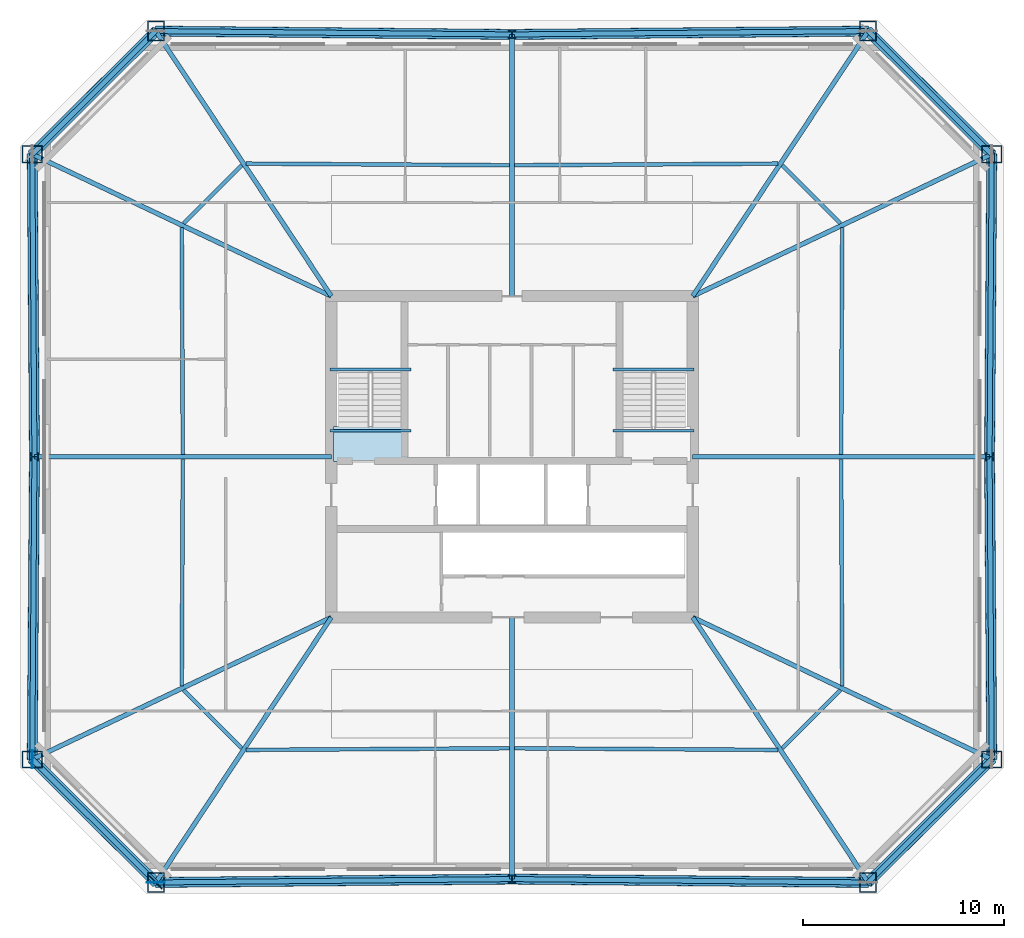
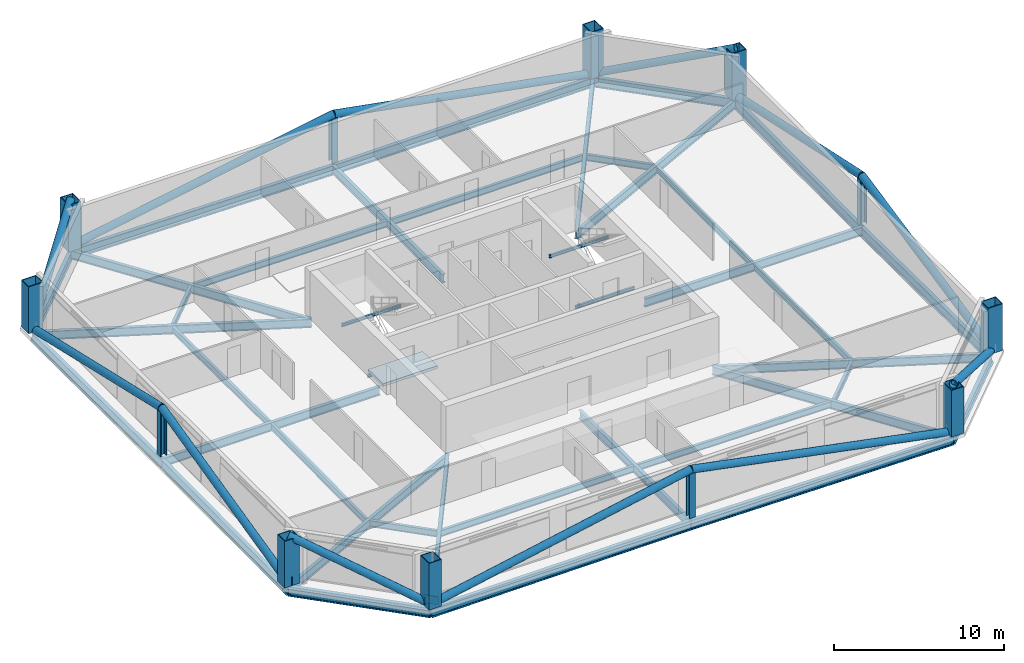
# One storey, part 1 of 6: 40 beams, 12 columns, 12 members, 3 plates, 1 slab, 1 element without a shape of its own.
"""IFC4 building model written with IfcOpenShell, lengths in metres."""

from ifc_helpers import new_model, si_unit, direction, frame, origin, origin_2d, place, context, subcontext, project, spatial, polyline, rectangle, hollow_rectangle, hollow_circle, i_section, outline, extrude, material, layer, layer_set, material_profile, profile_set, type_object, element, aggregate, save


model = new_model("IFC4")

# Units and contexts
model_context = context("Model", 3, precision=1e-05, world=origin(), true_north=direction((0.0, 1.0)))
body_context = subcontext(model_context, "Body", "Model", "MODEL_VIEW")
ifc_project = project(units=[si_unit("LENGTHUNIT", "METRE"), si_unit("AREAUNIT", "SQUARE_METRE"), si_unit("VOLUMEUNIT", "CUBIC_METRE"), si_unit("PLANEANGLEUNIT", "RADIAN"), si_unit("MASSUNIT", "GRAM", prefix="KILO")], contexts=[model_context])

# Site, building, storey
site_placement = place(None, origin())
site = spatial("IfcSite", under=ifc_project, at=site_placement, CompositionType="ELEMENT")
building_placement = place(site_placement, origin())
building = spatial("IfcBuilding", under=site, at=building_placement, Name="Caelvoria Tower", CompositionType="ELEMENT")
storey_placement = place(building_placement, frame((0.0, 0.0, 149.199951171875)))
storey = spatial("IfcBuildingStorey", under=building, at=storey_placement, Name="L39", CompositionType="ELEMENT", Elevation=149.199951171875)

# Columns
ifc_material_1 = material(Name="Structural Steel ASTM A572 Gr.50", Category="steel")
ifc_material_profile_1 = material_profile(ifc_material_1, hollow_rectangle(XDim=0.85009765625, YDim=1.0, WallThickness=0.050048828125, at=origin_2d()), Name="Structural Steel ASTM A572 Gr.50")
ifc_profile_set_1 = profile_set([ifc_material_profile_1], Name="BOX1000X850X50 - Structural Steel ASTM A572 Gr.50")
column_type_1 = type_object("IfcColumnType", Name="Mega Box Column 1000x850x50", PredefinedType="COLUMN", material=ifc_profile_set_1)
for number, where, z_axis, x_axis, name in (
    (1, (28.26220703125, 10.80224609375, 0.0), (0.0, 0.0, 1.0), (1.0, 0.0, 0.0), "Perimeter Megaframe Column L39-P00"),
    (2, (63.73779296875, 10.80224609375, 0.0), (0.0, 0.0, 1.0), (1.0, 0.0, 0.0), "Perimeter Megaframe Column L39-P02"),
    (3, (69.89111328125, 16.93408203125, 0.0), (0.0, 0.0, 1.0), (0.0, 1.0, 0.0), "Perimeter Megaframe Column L39-P03"),
    (4, (69.89111328125, 47.06591796875, 0.0), (0.0, 0.0, 1.0), (0.0, 1.0, 0.0), "Perimeter Megaframe Column L39-P05"),
    (5, (63.73779296875, 53.19775390625, 0.0), (0.0, 0.0, 1.0), (1.0, 0.0, 0.0), "Perimeter Megaframe Column L39-P06"),
    (6, (28.26220703125, 53.19775390625, 0.0), (0.0, 0.0, 1.0), (1.0, 0.0, 0.0), "Perimeter Megaframe Column L39-P08"),
    (7, (22.10888671875, 47.06591796875, 0.0), (0.0, 0.0, 1.0), (0.0, 1.0, 0.0), "Perimeter Megaframe Column L39-P09"),
    (8, (22.10888671875, 16.93408203125, 0.0), (0.0, 0.0, 1.0), (0.0, 1.0, 0.0), "Perimeter Megaframe Column L39-P11"),
):
    element("IfcColumn", number, at=place(storey_placement, frame(where, z_axis=z_axis, x_axis=x_axis)), inside=storey, type_object=column_type_1, Name=name, PredefinedType="COLUMN", context=body_context, shape_type="SweptSolid", body=[
        extrude(hollow_rectangle(XDim=0.85009765625, YDim=1.0, WallThickness=0.050048828125, at=origin_2d()), origin(), (0.0, 0.0, 1.0), 3.358154296875),
    ])
ifc_material_2 = material(Name="Structural Steel ASTM A992 Gr.50", Category="steel")
ifc_material_profile_2 = material_profile(ifc_material_2, i_section(OverallWidth=0.406005859375, OverallDepth=0.425048828125, WebThickness=0.03271484375, FlangeThickness=0.052490234375, FilletRadius=0.02490234375, at=origin_2d()), Name="Structural Steel ASTM A992 Gr.50")
ifc_profile_set_2 = profile_set([ifc_material_profile_2], Name="W360X421 - Structural Steel ASTM A992 Gr.50")
column_type_2 = type_object("IfcColumnType", Name="Mid Frame Column W360X421", PredefinedType="COLUMN", material=ifc_profile_set_2)
for number, where, z_axis, x_axis, name in (
    (9, (46.0, 10.969970703125, 0.0), (0.0, 0.0, 1.0), (1.0, 0.0, 0.0), "Perimeter Megaframe Column L39-P01"),
    (10, (69.780029296875, 32.0, 0.0), (0.0, 0.0, 1.0), (0.0, 1.0, 0.0), "Perimeter Megaframe Column L39-P04"),
    (11, (46.0, 53.030029296875, 0.0), (0.0, 0.0, 1.0), (1.0, 0.0, 0.0), "Perimeter Megaframe Column L39-P07"),
    (12, (22.219970703125, 32.0, 0.0), (0.0, 0.0, 1.0), (0.0, 1.0, 0.0), "Perimeter Megaframe Column L39-P10"),
):
    element("IfcColumn", number, at=place(storey_placement, frame(where, z_axis=z_axis, x_axis=x_axis)), inside=storey, type_object=column_type_2, Name=name, PredefinedType="COLUMN", context=body_context, shape_type="SweptSolid", body=[
        extrude(i_section(OverallWidth=0.406005859375, OverallDepth=0.425048828125, WebThickness=0.03271484375, FlangeThickness=0.052490234375, FilletRadius=0.02490234375, at=origin_2d()), origin(), (0.0, 0.0, 1.0), 3.358154296875),
    ])

# Beams
ifc_material_profile_3 = material_profile(ifc_material_2, i_section(OverallWidth=0.134033203125, OverallDepth=0.2099609375, WebThickness=0.00634765625, FlangeThickness=0.01025390625, FilletRadius=0.010009765625, at=origin_2d()), Name="Structural Steel ASTM A992 Gr.50")
ifc_profile_set_3 = profile_set([ifc_material_profile_3], Name="W200X31.3 - Structural Steel ASTM A992 Gr.50")
beam_type_1 = type_object("IfcBeamType", Name="Canopy Edge Trim Beam W200X31.3", PredefinedType="BEAM", material=ifc_profile_set_3)
for number, where, z_axis, x_axis, name in (
    (13, (36.929931640625, 36.35009765625, 1.4951171875), (1.0, 0.0, 0.0), (0.0, 1.0, 0.0), "ST-01 Half-Landing Support Beam L39"),
    (14, (36.929931640625, 33.300048828125, -0.304931640625), (1.0, 0.0, 0.0), (0.0, 1.0, 0.0), "ST-01 Floor-Landing Support Beam L39"),
    (15, (51.030029296875, 36.35009765625, 1.4951171875), (1.0, 0.0, 0.0), (0.0, 1.0, 0.0), "ST-02 Half-Landing Support Beam L39"),
    (16, (51.030029296875, 33.300048828125, -0.304931640625), (1.0, 0.0, 0.0), (0.0, 1.0, 0.0), "ST-02 Floor-Landing Support Beam L39"),
):
    element("IfcBeam", number, at=place(storey_placement, frame(where, z_axis=z_axis, x_axis=x_axis)), inside=storey, type_object=beam_type_1, Name=name, PredefinedType="BEAM", context=body_context, shape_type="SweptSolid", body=[
        extrude(i_section(OverallWidth=0.134033203125, OverallDepth=0.2099609375, WebThickness=0.00634765625, FlangeThickness=0.01025390625, FilletRadius=0.010009765625, at=origin_2d()), origin(), (0.0, 0.0, 1.0), 4.0400390625),
    ])

# Members
ifc_material_profile_4 = material_profile(ifc_material_1, hollow_circle(Radius=0.25390625, WallThickness=0.02001953125, at=origin_2d()), Name="Structural Steel ASTM A572 Gr.50")
ifc_profile_set_4 = profile_set([ifc_material_profile_4], Name="CHS508X20 - Structural Steel ASTM A572 Gr.50")
member_type = type_object("IfcMemberType", Name="Mid Perimeter Mega Brace CHS508X20", PredefinedType="BRACE", material=ifc_profile_set_4)
for number, where, z_axis, x_axis, name in (
    (17, (69.89111328125, 16.93408203125, 0.0), (-0.660643338043, -0.658336695695, 0.360753620913), (0.705869108063, -0.708342291751, 0.0), "Perimeter Chamfer Mega Brace L39 SE"),
    (18, (63.73779296875, 53.19775390625, 0.0), (0.660643338043, -0.658336695695, 0.360753620913), (0.705869108063, 0.708342291751, 0.0), "Perimeter Chamfer Mega Brace L39 NE"),
    (19, (22.10888671875, 47.06591796875, 0.0), (0.660643338043, 0.658336695695, 0.360753620913), (-0.705869108063, 0.708342291751, 0.0), "Perimeter Chamfer Mega Brace L39 NW"),
    (20, (28.26220703125, 10.80224609375, 0.0), (-0.660643338043, 0.658336695695, 0.360753620913), (-0.705869108063, -0.708342291751, 0.0), "Perimeter Chamfer Mega Brace L39 SW"),
):
    element("IfcMember", number, at=place(storey_placement, frame(where, z_axis=z_axis, x_axis=x_axis)), inside=storey, type_object=member_type, Name=name, PredefinedType="BRACE", context=body_context, shape_type="SweptSolid", body=[
        extrude(hollow_circle(Radius=0.25390625, WallThickness=0.02001953125, at=origin_2d()), origin(), (0.0, 0.0, 1.0), 9.314208984375),
    ])
for number, where, z_axis, x_axis, name in (
    (21, (28.26220703125, 10.80224609375, 0.0), (0.98248422504, 0.009290151438, 0.18611405276), (-0.009455353995, 0.999955297141, 0.0), "Perimeter Cardinal Mega Brace L39 SA"),
    (22, (63.73779296875, 10.80224609375, 0.0), (-0.98248422504, 0.009290151438, 0.18611405276), (-0.009455353995, -0.999955297141, 0.0), "Perimeter Cardinal Mega Brace L39 SB"),
):
    element("IfcMember", number, at=place(storey_placement, frame(where, z_axis=z_axis, x_axis=x_axis)), inside=storey, type_object=member_type, Name=name, PredefinedType="BRACE", context=body_context, shape_type="SweptSolid", body=[
        extrude(hollow_circle(Radius=0.25390625, WallThickness=0.02001953125, at=origin_2d()), origin(), (0.0, 0.0, 1.0), 18.053955078125),
    ])
for number, where, z_axis, x_axis, name in (
    (23, (69.89111328125, 16.93408203125, 0.0), (-0.00719620473, 0.975995151382, 0.217673331202), (-0.99997281909, -0.007372996803, 0.0), "Perimeter Cardinal Mega Brace L39 EA"),
    (24, (69.89111328125, 47.06591796875, 0.0), (-0.00719620473, -0.975995151382, 0.217673331202), (0.99997281909, -0.007372996803, 0.0), "Perimeter Cardinal Mega Brace L39 EB"),
):
    element("IfcMember", number, at=place(storey_placement, frame(where, z_axis=z_axis, x_axis=x_axis)), inside=storey, type_object=member_type, Name=name, PredefinedType="BRACE", context=body_context, shape_type="SweptSolid", body=[
        extrude(hollow_circle(Radius=0.25390625, WallThickness=0.02001953125, at=origin_2d()), origin(), (0.0, 0.0, 1.0), 15.4365234375),
    ])
for number, where, z_axis, x_axis, name in (
    (25, (63.73779296875, 53.19775390625, 0.0), (-0.98248422504, -0.009290151438, 0.18611405276), (0.009455353995, -0.999955297141, 0.0), "Perimeter Cardinal Mega Brace L39 NA"),
    (26, (28.26220703125, 53.19775390625, 0.0), (0.98248422504, -0.009290151438, 0.18611405276), (0.009455353995, 0.999955297141, 0.0), "Perimeter Cardinal Mega Brace L39 NB"),
):
    element("IfcMember", number, at=place(storey_placement, frame(where, z_axis=z_axis, x_axis=x_axis)), inside=storey, type_object=member_type, Name=name, PredefinedType="BRACE", context=body_context, shape_type="SweptSolid", body=[
        extrude(hollow_circle(Radius=0.25390625, WallThickness=0.02001953125, at=origin_2d()), origin(), (0.0, 0.0, 1.0), 18.053955078125),
    ])
for number, where, z_axis, x_axis, name in (
    (27, (22.10888671875, 47.06591796875, 0.0), (0.00719620473, -0.975995151382, 0.217673331202), (0.99997281909, 0.007372996803, 0.0), "Perimeter Cardinal Mega Brace L39 WA"),
    (28, (22.10888671875, 16.93408203125, 0.0), (0.00719620473, 0.975995151382, 0.217673331202), (-0.99997281909, 0.007372996803, 0.0), "Perimeter Cardinal Mega Brace L39 WB"),
):
    element("IfcMember", number, at=place(storey_placement, frame(where, z_axis=z_axis, x_axis=x_axis)), inside=storey, type_object=member_type, Name=name, PredefinedType="BRACE", context=body_context, shape_type="SweptSolid", body=[
        extrude(hollow_circle(Radius=0.25390625, WallThickness=0.02001953125, at=origin_2d()), origin(), (0.0, 0.0, 1.0), 15.4365234375),
    ])

# Beams
ifc_material_profile_5 = material_profile(ifc_material_2, i_section(OverallWidth=0.25390625, OverallDepth=0.68798828125, WebThickness=0.01318359375, FlangeThickness=0.02099609375, FilletRadius=0.01904296875, at=origin_2d()), Name="Structural Steel ASTM A992 Gr.50")
ifc_profile_set_5 = profile_set([ifc_material_profile_5], Name="W690X152 - Structural Steel ASTM A992 Gr.50")
beam_type_2 = type_object("IfcBeamType", Name="Perimeter Spandrel Girder W690X152", PredefinedType="BEAM", material=ifc_profile_set_5)
for number, where, z_axis, x_axis, name in (
    (29, (28.26220703125, 10.80224609375, -0.583984375), (0.999955297141, 0.009455353995, 0.0), (-0.009455353995, 0.999955297141, 0.0), "Perimeter Spandrel Girder L39-00"),
    (30, (46.0, 10.969970703125, -0.583984375), (0.999955297141, -0.009455353995, 0.0), (0.009455353995, 0.999955297141, 0.0), "Perimeter Spandrel Girder L39-01"),
):
    element("IfcBeam", number, at=place(storey_placement, frame(where, z_axis=z_axis, x_axis=x_axis)), inside=storey, type_object=beam_type_2, Name=name, PredefinedType="BEAM", context=body_context, shape_type="SweptSolid", body=[
        extrude(i_section(OverallWidth=0.25390625, OverallDepth=0.68798828125, WebThickness=0.01318359375, FlangeThickness=0.02099609375, FilletRadius=0.01904296875, at=origin_2d()), origin(), (0.0, 0.0, 1.0), 17.738525390625),
    ])
beam_1_placement = place(storey_placement, frame((63.73779296875, 10.80224609375, -0.583984375), z_axis=(0.708342291751, 0.705869108063, 0.0), x_axis=(-0.705869108063, 0.708342291751, 0.0)))
element("IfcBeam", 31, at=beam_1_placement, inside=storey, type_object=beam_type_2, Name="Perimeter Spandrel Girder L39-02", PredefinedType="BEAM", context=body_context, shape_type="SweptSolid", body=[
    extrude(i_section(OverallWidth=0.25390625, OverallDepth=0.68798828125, WebThickness=0.01318359375, FlangeThickness=0.02099609375, FilletRadius=0.01904296875, at=origin_2d()), origin(), (0.0, 0.0, 1.0), 8.68701171875),
])
for number, where, z_axis, x_axis, name in (
    (32, (69.89111328125, 16.93408203125, -0.583984375), (-0.007372996803, 0.99997281909, 0.0), (-0.99997281909, -0.007372996803, 0.0), "Perimeter Spandrel Girder L39-03"),
    (33, (69.780029296875, 32.0, -0.583984375), (0.007372996803, 0.99997281909, 0.0), (-0.99997281909, 0.007372996803, 0.0), "Perimeter Spandrel Girder L39-04"),
):
    element("IfcBeam", number, at=place(storey_placement, frame(where, z_axis=z_axis, x_axis=x_axis)), inside=storey, type_object=beam_type_2, Name=name, PredefinedType="BEAM", context=body_context, shape_type="SweptSolid", body=[
        extrude(i_section(OverallWidth=0.25390625, OverallDepth=0.68798828125, WebThickness=0.01318359375, FlangeThickness=0.02099609375, FilletRadius=0.01904296875, at=origin_2d()), origin(), (0.0, 0.0, 1.0), 15.06640625),
    ])
beam_2_placement = place(storey_placement, frame((69.89111328125, 47.06591796875, -0.583984375), z_axis=(-0.708342291751, 0.705869108063, 0.0), x_axis=(-0.705869108063, -0.708342291751, 0.0)))
element("IfcBeam", 34, at=beam_2_placement, inside=storey, type_object=beam_type_2, Name="Perimeter Spandrel Girder L39-05", PredefinedType="BEAM", context=body_context, shape_type="SweptSolid", body=[
    extrude(i_section(OverallWidth=0.25390625, OverallDepth=0.68798828125, WebThickness=0.01318359375, FlangeThickness=0.02099609375, FilletRadius=0.01904296875, at=origin_2d()), origin(), (0.0, 0.0, 1.0), 8.68701171875),
])
for number, where, z_axis, x_axis, name in (
    (35, (63.73779296875, 53.19775390625, -0.583984375), (-0.999955297141, -0.009455353995, 0.0), (0.009455353995, -0.999955297141, 0.0), "Perimeter Spandrel Girder L39-06"),
    (36, (46.0, 53.030029296875, -0.583984375), (-0.999955297141, 0.009455353995, 0.0), (-0.009455353995, -0.999955297141, 0.0), "Perimeter Spandrel Girder L39-07"),
):
    element("IfcBeam", number, at=place(storey_placement, frame(where, z_axis=z_axis, x_axis=x_axis)), inside=storey, type_object=beam_type_2, Name=name, PredefinedType="BEAM", context=body_context, shape_type="SweptSolid", body=[
        extrude(i_section(OverallWidth=0.25390625, OverallDepth=0.68798828125, WebThickness=0.01318359375, FlangeThickness=0.02099609375, FilletRadius=0.01904296875, at=origin_2d()), origin(), (0.0, 0.0, 1.0), 17.738525390625),
    ])
beam_3_placement = place(storey_placement, frame((28.26220703125, 53.19775390625, -0.583984375), z_axis=(-0.708342291751, -0.705869108063, 0.0), x_axis=(0.705869108063, -0.708342291751, 0.0)))
element("IfcBeam", 37, at=beam_3_placement, inside=storey, type_object=beam_type_2, Name="Perimeter Spandrel Girder L39-08", PredefinedType="BEAM", context=body_context, shape_type="SweptSolid", body=[
    extrude(i_section(OverallWidth=0.25390625, OverallDepth=0.68798828125, WebThickness=0.01318359375, FlangeThickness=0.02099609375, FilletRadius=0.01904296875, at=origin_2d()), origin(), (0.0, 0.0, 1.0), 8.68701171875),
])
for number, where, z_axis, x_axis, name in (
    (38, (22.10888671875, 47.06591796875, -0.583984375), (0.007372996803, -0.99997281909, 0.0), (0.99997281909, 0.007372996803, 0.0), "Perimeter Spandrel Girder L39-09"),
    (39, (22.219970703125, 32.0, -0.583984375), (-0.007372996803, -0.99997281909, 0.0), (0.99997281909, -0.007372996803, 0.0), "Perimeter Spandrel Girder L39-10"),
):
    element("IfcBeam", number, at=place(storey_placement, frame(where, z_axis=z_axis, x_axis=x_axis)), inside=storey, type_object=beam_type_2, Name=name, PredefinedType="BEAM", context=body_context, shape_type="SweptSolid", body=[
        extrude(i_section(OverallWidth=0.25390625, OverallDepth=0.68798828125, WebThickness=0.01318359375, FlangeThickness=0.02099609375, FilletRadius=0.01904296875, at=origin_2d()), origin(), (0.0, 0.0, 1.0), 15.06640625),
    ])
beam_4_placement = place(storey_placement, frame((22.10888671875, 16.93408203125, -0.583984375), z_axis=(0.708342291751, -0.705869108063, 0.0), x_axis=(0.705869108063, 0.708342291751, 0.0)))
element("IfcBeam", 40, at=beam_4_placement, inside=storey, type_object=beam_type_2, Name="Perimeter Spandrel Girder L39-11", PredefinedType="BEAM", context=body_context, shape_type="SweptSolid", body=[
    extrude(i_section(OverallWidth=0.25390625, OverallDepth=0.68798828125, WebThickness=0.01318359375, FlangeThickness=0.02099609375, FilletRadius=0.01904296875, at=origin_2d()), origin(), (0.0, 0.0, 1.0), 8.68701171875),
])
ifc_material_profile_6 = material_profile(ifc_material_2, i_section(OverallWidth=0.22900390625, OverallDepth=0.612060546875, WebThickness=0.011962890625, FlangeThickness=0.01953125, FilletRadius=0.01806640625, at=origin_2d()), Name="Structural Steel ASTM A992 Gr.50")
ifc_profile_set_6 = profile_set([ifc_material_profile_6], Name="W610X125 - Structural Steel ASTM A992 Gr.50")
beam_type_3 = type_object("IfcBeamType", Name="Primary Radial Floor Girder W610X125", PredefinedType="BEAM", material=ifc_profile_set_6)
beam_5_placement = place(storey_placement, frame((37.0, 24.0, -0.5458984375), z_axis=(-0.552041988613, -0.83381631239, 0.0), x_axis=(0.83381631239, -0.552041988613, 0.0)))
element("IfcBeam", 41, at=beam_5_placement, inside=storey, type_object=beam_type_3, Name="Primary Floor Girder L39-00", PredefinedType="BEAM", context=body_context, shape_type="SweptSolid", body=[
    extrude(i_section(OverallWidth=0.22900390625, OverallDepth=0.612060546875, WebThickness=0.011962890625, FlangeThickness=0.01953125, FilletRadius=0.01806640625, at=origin_2d()), origin(), (0.0, 0.0, 1.0), 15.828125),
])
beam_6_placement = place(storey_placement, frame((46.0, 24.0, -0.5458984375), z_axis=(0.0, -1.0, 0.0), x_axis=(1.0, 0.0, 0.0)))
element("IfcBeam", 42, at=beam_6_placement, inside=storey, type_object=beam_type_3, Name="Primary Floor Girder L39-01", PredefinedType="BEAM", context=body_context, shape_type="SweptSolid", body=[
    extrude(i_section(OverallWidth=0.22900390625, OverallDepth=0.612060546875, WebThickness=0.011962890625, FlangeThickness=0.01953125, FilletRadius=0.01806640625, at=origin_2d()), origin(), (0.0, 0.0, 1.0), 13.030029296875),
])
beam_7_placement = place(storey_placement, frame((55.0, 24.0, -0.5458984375), z_axis=(0.552041988613, -0.83381631239, 0.0), x_axis=(0.83381631239, 0.552041988613, 0.0)))
element("IfcBeam", 43, at=beam_7_placement, inside=storey, type_object=beam_type_3, Name="Primary Floor Girder L39-02", PredefinedType="BEAM", context=body_context, shape_type="SweptSolid", body=[
    extrude(i_section(OverallWidth=0.22900390625, OverallDepth=0.612060546875, WebThickness=0.011962890625, FlangeThickness=0.01953125, FilletRadius=0.01806640625, at=origin_2d()), origin(), (0.0, 0.0, 1.0), 15.828125),
])
beam_8_placement = place(storey_placement, frame((55.0, 24.0, -0.5458984375), z_axis=(0.903450508343, -0.428692406015, 0.0), x_axis=(0.428692406015, 0.903450508343, 0.0)))
element("IfcBeam", 44, at=beam_8_placement, inside=storey, type_object=beam_type_3, Name="Primary Floor Girder L39-03", PredefinedType="BEAM", context=body_context, shape_type="SweptSolid", body=[
    extrude(i_section(OverallWidth=0.22900390625, OverallDepth=0.612060546875, WebThickness=0.011962890625, FlangeThickness=0.01953125, FilletRadius=0.01806640625, at=origin_2d()), origin(), (0.0, 0.0, 1.0), 16.482421875),
])
beam_9_placement = place(storey_placement, frame((55.0, 32.0, -0.5458984375), z_axis=(1.0, 0.0, 0.0), x_axis=(0.0, 1.0, 0.0)))
element("IfcBeam", 45, at=beam_9_placement, inside=storey, type_object=beam_type_3, Name="Primary Floor Girder L39-04", PredefinedType="BEAM", context=body_context, shape_type="SweptSolid", body=[
    extrude(i_section(OverallWidth=0.22900390625, OverallDepth=0.612060546875, WebThickness=0.011962890625, FlangeThickness=0.01953125, FilletRadius=0.01806640625, at=origin_2d()), origin(), (0.0, 0.0, 1.0), 14.780029296875),
])
beam_10_placement = place(storey_placement, frame((55.0, 40.0, -0.5458984375), z_axis=(0.903450508343, 0.428692406015, 0.0), x_axis=(-0.428692406015, 0.903450508343, 0.0)))
element("IfcBeam", 46, at=beam_10_placement, inside=storey, type_object=beam_type_3, Name="Primary Floor Girder L39-05", PredefinedType="BEAM", context=body_context, shape_type="SweptSolid", body=[
    extrude(i_section(OverallWidth=0.22900390625, OverallDepth=0.612060546875, WebThickness=0.011962890625, FlangeThickness=0.01953125, FilletRadius=0.01806640625, at=origin_2d()), origin(), (0.0, 0.0, 1.0), 16.482421875),
])
beam_11_placement = place(storey_placement, frame((55.0, 40.0, -0.5458984375), z_axis=(0.552041988613, 0.83381631239, 0.0), x_axis=(-0.83381631239, 0.552041988613, 0.0)))
element("IfcBeam", 47, at=beam_11_placement, inside=storey, type_object=beam_type_3, Name="Primary Floor Girder L39-06", PredefinedType="BEAM", context=body_context, shape_type="SweptSolid", body=[
    extrude(i_section(OverallWidth=0.22900390625, OverallDepth=0.612060546875, WebThickness=0.011962890625, FlangeThickness=0.01953125, FilletRadius=0.01806640625, at=origin_2d()), origin(), (0.0, 0.0, 1.0), 15.828125),
])
beam_12_placement = place(storey_placement, frame((46.0, 40.0, -0.5458984375), z_axis=(0.0, 1.0, 0.0), x_axis=(-1.0, 0.0, 0.0)))
element("IfcBeam", 48, at=beam_12_placement, inside=storey, type_object=beam_type_3, Name="Primary Floor Girder L39-07", PredefinedType="BEAM", context=body_context, shape_type="SweptSolid", body=[
    extrude(i_section(OverallWidth=0.22900390625, OverallDepth=0.612060546875, WebThickness=0.011962890625, FlangeThickness=0.01953125, FilletRadius=0.01806640625, at=origin_2d()), origin(), (0.0, 0.0, 1.0), 13.030029296875),
])
beam_13_placement = place(storey_placement, frame((37.0, 40.0, -0.5458984375), z_axis=(-0.552041988613, 0.83381631239, 0.0), x_axis=(-0.83381631239, -0.552041988613, 0.0)))
element("IfcBeam", 49, at=beam_13_placement, inside=storey, type_object=beam_type_3, Name="Primary Floor Girder L39-08", PredefinedType="BEAM", context=body_context, shape_type="SweptSolid", body=[
    extrude(i_section(OverallWidth=0.22900390625, OverallDepth=0.612060546875, WebThickness=0.011962890625, FlangeThickness=0.01953125, FilletRadius=0.01806640625, at=origin_2d()), origin(), (0.0, 0.0, 1.0), 15.828125),
])
beam_14_placement = place(storey_placement, frame((37.0, 40.0, -0.5458984375), z_axis=(-0.903450508343, 0.428692406015, 0.0), x_axis=(-0.428692406015, -0.903450508343, 0.0)))
element("IfcBeam", 50, at=beam_14_placement, inside=storey, type_object=beam_type_3, Name="Primary Floor Girder L39-09", PredefinedType="BEAM", context=body_context, shape_type="SweptSolid", body=[
    extrude(i_section(OverallWidth=0.22900390625, OverallDepth=0.612060546875, WebThickness=0.011962890625, FlangeThickness=0.01953125, FilletRadius=0.01806640625, at=origin_2d()), origin(), (0.0, 0.0, 1.0), 16.482421875),
])
beam_15_placement = place(storey_placement, frame((37.0, 32.0, -0.5458984375), z_axis=(-1.0, 0.0, 0.0), x_axis=(0.0, -1.0, 0.0)))
element("IfcBeam", 51, at=beam_15_placement, inside=storey, type_object=beam_type_3, Name="Primary Floor Girder L39-10", PredefinedType="BEAM", context=body_context, shape_type="SweptSolid", body=[
    extrude(i_section(OverallWidth=0.22900390625, OverallDepth=0.612060546875, WebThickness=0.011962890625, FlangeThickness=0.01953125, FilletRadius=0.01806640625, at=origin_2d()), origin(), (0.0, 0.0, 1.0), 14.780029296875),
])
beam_16_placement = place(storey_placement, frame((37.0, 24.0, -0.5458984375), z_axis=(-0.903450508343, -0.428692406015, 0.0), x_axis=(0.428692406015, -0.903450508343, 0.0)))
element("IfcBeam", 52, at=beam_16_placement, inside=storey, type_object=beam_type_3, Name="Primary Floor Girder L39-11", PredefinedType="BEAM", context=body_context, shape_type="SweptSolid", body=[
    extrude(i_section(OverallWidth=0.22900390625, OverallDepth=0.612060546875, WebThickness=0.011962890625, FlangeThickness=0.01953125, FilletRadius=0.01806640625, at=origin_2d()), origin(), (0.0, 0.0, 1.0), 16.482421875),
])
ifc_material_profile_7 = material_profile(ifc_material_2, i_section(OverallWidth=0.18994140625, OverallDepth=0.45703125, WebThickness=0.009033203125, FlangeThickness=0.014404296875, FilletRadius=0.014892578125, at=origin_2d()), Name="Structural Steel ASTM A992 Gr.50")
ifc_profile_set_7 = profile_set([ifc_material_profile_7], Name="W460X74 - Structural Steel ASTM A992 Gr.50")
beam_type_4 = type_object("IfcBeamType", Name="Secondary Floor Beam W460X74", PredefinedType="BEAM", material=ifc_profile_set_7)
for number, where, z_axis, x_axis, name in (
    (53, (32.756103515625, 17.40185546875, -0.468505859375), (0.999980334613, 0.006271394301, 0.0), (-0.006271394301, 0.999980334613, 0.0), "Secondary Floor Beam L39-00"),
    (54, (46.125, 17.484130859375, -0.468505859375), (0.999980334613, -0.006271394301, 0.0), (0.006271394301, 0.999980334613, 0.0), "Secondary Floor Beam L39-01"),
):
    element("IfcBeam", number, at=place(storey_placement, frame(where, z_axis=z_axis, x_axis=x_axis)), inside=storey, type_object=beam_type_4, Name=name, PredefinedType="BEAM", context=body_context, shape_type="SweptSolid", body=[
        extrude(i_section(OverallWidth=0.18994140625, OverallDepth=0.45703125, WebThickness=0.009033203125, FlangeThickness=0.014404296875, FilletRadius=0.014892578125, at=origin_2d()), origin(), (0.0, 0.0, 1.0), 13.119140625),
    ])
beam_17_placement = place(storey_placement, frame((59.45751953125, 17.4892578125, -0.468505859375), z_axis=(0.708298598602, 0.705912951587, 0.0), x_axis=(-0.705912951587, 0.708298598602, 0.0)))
element("IfcBeam", 55, at=beam_17_placement, inside=storey, type_object=beam_type_4, Name="Secondary Floor Beam L39-02", PredefinedType="BEAM", context=body_context, shape_type="SweptSolid", body=[
    extrude(i_section(OverallWidth=0.18994140625, OverallDepth=0.45703125, WebThickness=0.009033203125, FlangeThickness=0.014404296875, FilletRadius=0.014892578125, at=origin_2d()), origin(), (0.0, 0.0, 1.0), 4.093505859375),
])
for number, where, z_axis, x_axis, name in (
    (56, (62.44482421875, 20.592041015625, -0.468505859375), (-0.004803579763, 0.999988462744, 0.0), (-0.999988462744, -0.004803579763, 0.0), "Secondary Floor Beam L39-03"),
    (57, (62.390625, 32.125, -0.468505859375), (0.004803579763, 0.999988462744, 0.0), (-0.999988462744, 0.004803579763, 0.0), "Secondary Floor Beam L39-04"),
):
    element("IfcBeam", number, at=place(storey_placement, frame(where, z_axis=z_axis, x_axis=x_axis)), inside=storey, type_object=beam_type_4, Name=name, PredefinedType="BEAM", context=body_context, shape_type="SweptSolid", body=[
        extrude(i_section(OverallWidth=0.18994140625, OverallDepth=0.45703125, WebThickness=0.009033203125, FlangeThickness=0.014404296875, FilletRadius=0.014892578125, at=origin_2d()), origin(), (0.0, 0.0, 1.0), 11.283203125),
    ])
beam_18_placement = place(storey_placement, frame((62.35693359375, 43.62109375, -0.468505859375), z_axis=(-0.708298598602, 0.705912951587, 0.0), x_axis=(-0.705912951587, -0.708298598602, 0.0)))
element("IfcBeam", 58, at=beam_18_placement, inside=storey, type_object=beam_type_4, Name="Secondary Floor Beam L39-05", PredefinedType="BEAM", context=body_context, shape_type="SweptSolid", body=[
    extrude(i_section(OverallWidth=0.18994140625, OverallDepth=0.45703125, WebThickness=0.009033203125, FlangeThickness=0.014404296875, FilletRadius=0.014892578125, at=origin_2d()), origin(), (0.0, 0.0, 1.0), 4.093505859375),
])
for number, where, z_axis, x_axis, name in (
    (59, (59.243896484375, 46.59814453125, -0.468505859375), (-0.999980334613, -0.006271394301, 0.0), (0.006271394301, -0.999980334613, 0.0), "Secondary Floor Beam L39-06"),
    (60, (45.875, 46.515869140625, -0.468505859375), (-0.999980334613, 0.006271394301, 0.0), (-0.006271394301, -0.999980334613, 0.0), "Secondary Floor Beam L39-07"),
):
    element("IfcBeam", number, at=place(storey_placement, frame(where, z_axis=z_axis, x_axis=x_axis)), inside=storey, type_object=beam_type_4, Name=name, PredefinedType="BEAM", context=body_context, shape_type="SweptSolid", body=[
        extrude(i_section(OverallWidth=0.18994140625, OverallDepth=0.45703125, WebThickness=0.009033203125, FlangeThickness=0.014404296875, FilletRadius=0.014892578125, at=origin_2d()), origin(), (0.0, 0.0, 1.0), 13.119140625),
    ])
beam_19_placement = place(storey_placement, frame((32.54248046875, 46.5107421875, -0.468505859375), z_axis=(-0.708298598602, -0.705912951587, 0.0), x_axis=(0.705912951587, -0.708298598602, 0.0)))
element("IfcBeam", 61, at=beam_19_placement, inside=storey, type_object=beam_type_4, Name="Secondary Floor Beam L39-08", PredefinedType="BEAM", context=body_context, shape_type="SweptSolid", body=[
    extrude(i_section(OverallWidth=0.18994140625, OverallDepth=0.45703125, WebThickness=0.009033203125, FlangeThickness=0.014404296875, FilletRadius=0.014892578125, at=origin_2d()), origin(), (0.0, 0.0, 1.0), 4.093505859375),
])
for number, where, z_axis, x_axis, name in (
    (62, (29.55517578125, 43.407958984375, -0.468505859375), (0.004803579763, -0.999988462744, 0.0), (0.999988462744, 0.004803579763, 0.0), "Secondary Floor Beam L39-09"),
    (63, (29.609375, 31.875, -0.468505859375), (-0.004803579763, -0.999988462744, 0.0), (0.999988462744, -0.004803579763, 0.0), "Secondary Floor Beam L39-10"),
):
    element("IfcBeam", number, at=place(storey_placement, frame(where, z_axis=z_axis, x_axis=x_axis)), inside=storey, type_object=beam_type_4, Name=name, PredefinedType="BEAM", context=body_context, shape_type="SweptSolid", body=[
        extrude(i_section(OverallWidth=0.18994140625, OverallDepth=0.45703125, WebThickness=0.009033203125, FlangeThickness=0.014404296875, FilletRadius=0.014892578125, at=origin_2d()), origin(), (0.0, 0.0, 1.0), 11.283203125),
    ])
beam_20_placement = place(storey_placement, frame((29.64306640625, 20.37890625, -0.468505859375), z_axis=(0.708298598602, -0.705912951587, 0.0), x_axis=(0.705912951587, 0.708298598602, 0.0)))
element("IfcBeam", 64, at=beam_20_placement, inside=storey, type_object=beam_type_4, Name="Secondary Floor Beam L39-11", PredefinedType="BEAM", context=body_context, shape_type="SweptSolid", body=[
    extrude(i_section(OverallWidth=0.18994140625, OverallDepth=0.45703125, WebThickness=0.009033203125, FlangeThickness=0.014404296875, FilletRadius=0.014892578125, at=origin_2d()), origin(), (0.0, 0.0, 1.0), 4.093505859375),
])

# Plates
ifc_layer_1 = layer(ifc_material_1, 0.0400390625, Name="Structural Steel ASTM A572 Gr.50")
ifc_layer_set_1 = layer_set([ifc_layer_1], Name="Megaframe Node Gusset Plate 900x600x40 - Structural Steel ASTM A572 Gr.50")
plate_type = type_object("IfcPlateType", Name="Megaframe Node Gusset Plate 900x600x40", PredefinedType="USERDEFINED", material=ifc_layer_set_1)
for number, where, z_axis, x_axis, name in (
    (65, (28.26220703125, 10.80224609375, 0.02001953125), (0.0, 0.0, 1.0), (-0.708326285833, 0.705885169697, 0.0), "Chamfer Mega Brace Gusset L39 SW"),
    (66, (28.26220703125, 10.80224609375, 0.050048828125), (0.0, 0.0, 1.0), (0.999955257518, 0.009459543462, 0.0), "Megaframe Node Gusset Plate ND-04"),
    (67, (22.10888671875, 16.93408203125, 0.050048828125), (0.0, 0.0, 1.0), (0.007366968134, 0.999972863522, 0.0), "Megaframe Node Gusset Plate ND-04"),
):
    element("IfcPlate", number, at=place(storey_placement, frame(where, z_axis=z_axis, x_axis=x_axis)), inside=storey, type_object=plate_type, Name=name, ObjectType="GUSSET_PLATE", PredefinedType="USERDEFINED", context=body_context, shape_type="SweptSolid", body=[
        extrude(rectangle(XDim=0.89990234375, YDim=0.0400390625, at=origin_2d()), origin(), (0.0, 0.0, 1.0), 0.60009765625),
    ])

# Stair, slab
ifc_material_3 = material(Name="Concrete C40/50", Category="concrete")
stair_type = type_object("IfcStairType", Name="Core Smokeproof Dogleg Stair Concrete C40/50", PredefinedType="HALF_TURN_STAIR", material=ifc_material_3)
stair_placement = place(storey_placement, origin())
stair = element("IfcStair", 68, at=stair_placement, inside=storey, type_object=stair_type, Name="ST-01 Smokeproof Exit Stair L39", PredefinedType="HALF_TURN_STAIR")
ifc_layer_2 = layer(ifc_material_3, 0.199951171875, Name="Concrete C40/50")
ifc_layer_set_2 = layer_set([ifc_layer_2], Name="Stair Half and Floor Landing Slab 200 Concrete C40/50 - Concrete C40/50")
slab_type = type_object("IfcSlabType", Name="Stair Half and Floor Landing Slab 200 Concrete C40/50", PredefinedType="LANDING", material=ifc_layer_set_2)
slab_placement = place(storey_placement, frame((0.0, 0.0, -0.199951171875)))
slab = element("IfcSlab", 69, at=slab_placement, type_object=slab_type, Name="ST-01 landing 1", PredefinedType="LANDING", context=body_context, shape_type="SweptSolid", body=[
    extrude(outline(polyline([(37.10009765625, 31.77001953125), (40.800048828125, 31.77001953125), (40.800048828125, 33.5), (37.10009765625, 33.5), (37.10009765625, 31.77001953125)])), origin(), (0.0, 0.0, 1.0), 0.199951171875),
])
aggregate(stair, [slab])

save(model, "model.ifc")
